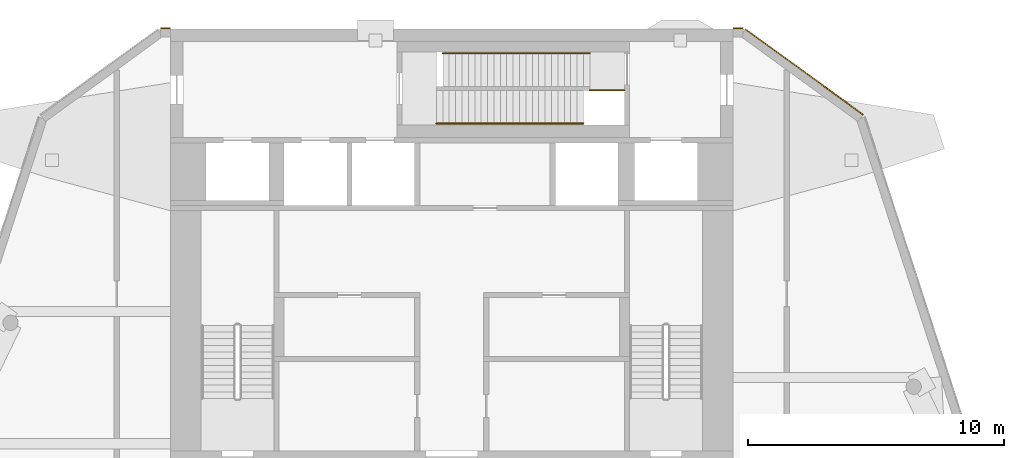
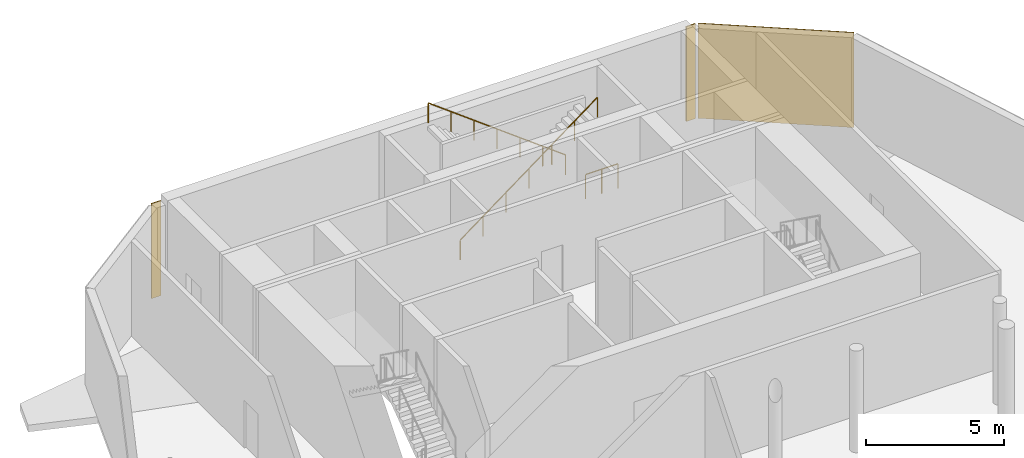
# One storey, part 8 of 8: 3 coverings, 3 railings.
"""IFC4 building model written with IfcOpenShell, lengths in metres."""

import ifcopenshell
import ifcopenshell.guid

model = None  # the IFC model being written
_history = None  # IfcOwnerHistory: only IFC2X3 demands one
_inside = {}  # id of a spatial element -> (the spatial element, [elements in it])
_under = {}  # id of a project, library or spatial element -> (it, [spatial elements below it])
_declared = {}  # id of a project -> (the project, [libraries it declares])
_typed = {}  # id of a type object -> (the type object, [elements of that type])
_made_of = {}  # id of a material, layer set ... -> (it, [elements and type objects made of it])


def new_model(schema):
    """Start an empty IFC model of exactly this schema.

    Asked for "IFC4X3", IfcOpenShell would pick the latest addendum, in which some entities
    have other attributes; the version numbers below select the first issue.
    IFC2X3 requires an IfcOwnerHistory on every rooted entity: one is made here for all.
    """
    global model, _history
    if schema == "IFC4X3":
        model = ifcopenshell.file(schema_version=(4, 3, 0, 0))
    else:
        model = ifcopenshell.file(schema=schema)
    _inside.clear()
    _under.clear()
    _declared.clear()
    _typed.clear()
    _made_of.clear()
    _history = None
    if model.schema == "IFC2X3":
        org = make("IfcOrganization", Name="unknown")
        user = make(
            "IfcPersonAndOrganization",
            ThePerson=make("IfcPerson", FamilyName="unknown"),
            TheOrganization=org,
        )
        app = make(
            "IfcApplication",
            ApplicationDeveloper=org,
            Version="unknown",
            ApplicationFullName="unknown",
            ApplicationIdentifier="unknown",
        )
        _history = make(
            "IfcOwnerHistory",
            OwningUser=user,
            OwningApplication=app,
            ChangeAction="ADDED",
            CreationDate=0,
        )
    return model


def make(cls, **values):
    """One entity of the class cls with the attributes given. An attribute that is None is left unset."""
    return model.create_entity(
        cls, **{name: value for name, value in values.items() if value is not None}
    )


def rooted(cls, **values):
    """An entity with a GlobalId (a new one), such as an element, a storey or a relation."""
    return make(cls, GlobalId=ifcopenshell.guid.new(), OwnerHistory=_history, **values)


def si_unit(unit_type, name, prefix=None):
    """IfcSIUnit, for example si_unit("LENGTHUNIT", "METRE", prefix="MILLI")."""
    return make("IfcSIUnit", UnitType=unit_type, Prefix=prefix, Name=name)


def assignment(units):
    """IfcUnitAssignment: the units of a project."""
    return None if units is None else make("IfcUnitAssignment", Units=units)


def point(xyz):
    """IfcCartesianPoint."""
    return None if xyz is None else make("IfcCartesianPoint", Coordinates=xyz)


def direction(xyz):
    """IfcDirection."""
    return None if xyz is None else make("IfcDirection", DirectionRatios=xyz)


def frame(location, z_axis=None, x_axis=None):
    """IfcAxis2Placement3D, a coordinate frame: its origin and axes. An axis left out is left unset."""
    return make(
        "IfcAxis2Placement3D",
        Location=point(location),
        Axis=direction(z_axis),
        RefDirection=direction(x_axis),
    )


def frame_2d(location, x_axis=None):
    """IfcAxis2Placement2D, a coordinate frame in the plane: its origin and x axis."""
    return make(
        "IfcAxis2Placement2D", Location=point(location), RefDirection=direction(x_axis)
    )


def origin():
    """The frame at (0, 0, 0) with its axes left unset."""
    return frame((0.0, 0.0, 0.0))


def origin_2d():
    """The frame at (0, 0) in the plane with its x axis left unset."""
    return frame_2d((0.0, 0.0))


def place(relative_to, where):
    """IfcLocalPlacement: puts the frame where relative to a parent placement (None: the world)."""
    return make(
        "IfcLocalPlacement", PlacementRelTo=relative_to, RelativePlacement=where
    )


def context(
    kind, dimensions, precision=None, world=None, true_north=None, identifier=None
):
    """IfcGeometricRepresentationContext, for example the 3D "Model" context."""
    return make(
        "IfcGeometricRepresentationContext",
        ContextIdentifier=identifier,
        ContextType=kind,
        CoordinateSpaceDimension=dimensions,
        Precision=precision,
        WorldCoordinateSystem=world,
        TrueNorth=true_north,
    )


def subcontext(parent, identifier, kind, view, scale=None):
    """IfcGeometricRepresentationSubContext, for example "Body" below "Model"."""
    return make(
        "IfcGeometricRepresentationSubContext",
        ContextIdentifier=identifier,
        ContextType=kind,
        ParentContext=parent,
        TargetScale=scale,
        TargetView=view,
    )


def project(units=None, contexts=None):
    """IfcProject with its units and contexts."""
    return rooted(
        "IfcProject",
        Name="project",
        RepresentationContexts=contexts,
        UnitsInContext=assignment(units),
    )


def spatial(cls, under=None, at=None, **own):
    """A site, building, storey or space (cls), placed at a placement, below another one or the project."""
    s = rooted(cls, ObjectPlacement=at, **own)
    if under is not None:
        _under.setdefault(under.id(), (under, []))[1].append(s)
    return s


def polyline(points):
    """IfcPolyline through the points."""
    return make("IfcPolyline", Points=[point(p) for p in points])


def profile(cls, at=None, kind="AREA", **sizes):
    """A parametric profile (cls). Its sizes go by their IFC names, for example OverallWidth=200.0."""
    return make(cls, ProfileType=kind, Position=at, **sizes)


def circle(**sizes):
    """IfcCircleProfileDef."""
    return profile("IfcCircleProfileDef", **sizes)


def outline(outer, holes=None, kind="AREA"):
    """IfcArbitraryClosedProfileDef: a profile drawn as a closed curve; with holes, ...WithVoids."""
    if holes is None:
        return make("IfcArbitraryClosedProfileDef", ProfileType=kind, OuterCurve=outer)
    return make(
        "IfcArbitraryProfileDefWithVoids",
        ProfileType=kind,
        OuterCurve=outer,
        InnerCurves=holes,
    )


def extrude(swept, where, along, depth):
    """IfcExtrudedAreaSolid: the profile swept, set in the frame where, extruded along a direction by depth."""
    return make(
        "IfcExtrudedAreaSolid",
        SweptArea=swept,
        Position=where,
        ExtrudedDirection=direction(along),
        Depth=depth,
    )


def shape(context_of_items, identifier, shape_type, items):
    """IfcShapeRepresentation: the items that make up one representation, for example the "Body"."""
    return make(
        "IfcShapeRepresentation",
        ContextOfItems=context_of_items,
        RepresentationIdentifier=identifier,
        RepresentationType=shape_type,
        Items=items,
    )


def material(Name=None, Category=None):
    """IfcMaterial."""
    return make("IfcMaterial", Name=Name, Category=Category)


def layer(
    of_material, thickness, ventilated=None, Name=None, Category=None, Priority=None
):
    """IfcMaterialLayer: one layer of a wall or slab, of a material (None: an air gap)."""
    return make(
        "IfcMaterialLayer",
        Material=of_material,
        LayerThickness=thickness,
        IsVentilated=ventilated,
        Name=Name,
        Category=Category,
        Priority=Priority,
    )


def layer_set(layers, Name=None):
    """IfcMaterialLayerSet."""
    return make("IfcMaterialLayerSet", MaterialLayers=layers, LayerSetName=Name)


def made_of(thing, what):
    """Note that an element or type object is made of a material, layer set ...; save() writes the relation."""
    if what is not None:
        _made_of.setdefault(what.id(), (what, []))[1].append(thing)
    return thing


def type_object(cls, material=None, **own):
    """A type object (cls), such as IfcWallType, which elements share."""
    return made_of(rooted(cls, **own), material)


def element(
    cls,
    number,
    at=None,
    inside=None,
    cuts=None,
    type_object=None,
    material=None,
    context=None,
    identifier="Body",
    shape_type=None,
    held_by="IfcProductDefinitionShape",
    body=None,
    shapes=None,
    **own,
):
    """One element of the class cls, such as IfcWall. Its Tag is "e" and its number.

    at: its placement. inside: the storey or other place that contains it. cuts: it is an
    opening in that element (IfcRelVoidsElement). A single representation is given by context,
    identifier, shape_type and body (its items); several are given by shapes. held_by: the class
    of the entity that holds the representations. save() writes the other relations.
    """
    e = rooted(cls, Tag="e%d" % number, ObjectPlacement=at, **own)
    if body is not None:
        shapes = [shape(context, identifier, shape_type, body)]
    if shapes is not None:
        e.Representation = make(held_by, Representations=shapes)
    if inside is not None:
        _inside.setdefault(inside.id(), (inside, []))[1].append(e)
    if cuts is not None:
        rooted(
            "IfcRelVoidsElement", RelatingBuildingElement=cuts, RelatedOpeningElement=e
        )
    if type_object is not None:
        _typed.setdefault(type_object.id(), (type_object, []))[1].append(e)
    return made_of(e, material)


def aggregate(whole, parts):
    """IfcRelAggregates: a whole, such as a stair, and the parts it consists of."""
    return rooted("IfcRelAggregates", RelatingObject=whole, RelatedObjects=parts)


def save(model, path):
    """Write the relations noted so far, then the file.

    IfcRelAggregates (storeys below a building ...), IfcRelContainedInSpatialStructure (elements
    in a storey), IfcRelDefinesByType, IfcRelAssociatesMaterial and IfcRelDeclares: one each for
    every whole, place, type object, material and project.
    """
    for whole, parts in _under.values():
        aggregate(whole, parts)
    for where, things in _inside.values():
        rooted(
            "IfcRelContainedInSpatialStructure",
            RelatedElements=things,
            RelatingStructure=where,
        )
    for kind, things in _typed.values():
        rooted("IfcRelDefinesByType", RelatedObjects=things, RelatingType=kind)
    for what, things in _made_of.values():
        rooted("IfcRelAssociatesMaterial", RelatedObjects=things, RelatingMaterial=what)
    for by, libraries in _declared.values():
        rooted("IfcRelDeclares", RelatingContext=by, RelatedDefinitions=libraries)
    model.write(path)


model = new_model("IFC4")

# Units and contexts
model_context = context("Model", 3, precision=1e-05, world=origin(), true_north=direction((0.0, 1.0)))
body_context = subcontext(model_context, "Body", "Model", "MODEL_VIEW")
ifc_project = project(units=[si_unit("LENGTHUNIT", "METRE"), si_unit("AREAUNIT", "SQUARE_METRE"), si_unit("VOLUMEUNIT", "CUBIC_METRE"), si_unit("PLANEANGLEUNIT", "RADIAN"), si_unit("MASSUNIT", "GRAM", prefix="KILO")], contexts=[model_context])

# Site, building, storey
site_placement = place(None, origin())
site = spatial("IfcSite", under=ifc_project, at=site_placement, CompositionType="ELEMENT")
building_placement = place(site_placement, origin())
building = spatial("IfcBuilding", under=site, at=building_placement, Name="White Candle Pilgrim Tower", CompositionType="ELEMENT")
storey_placement = place(building_placement, frame((0.0, 0.0, 328.699951171875)))
storey = spatial("IfcBuildingStorey", under=building, at=storey_placement, Name="L77", CompositionType="ELEMENT", Elevation=328.699951171875)

# Railings
ifc_material_1 = material(Name="Stainless steel", Category="steel")
railing_type_1 = type_object("IfcRailingType", Name="Stair guard stainless steel 1100 mm", PredefinedType="GUARDRAIL", material=ifc_material_1)
railing_1_placement = place(storey_placement, frame((75.39990234375, 85.60009765625, 0.0)))
element("IfcRailing", 1, at=railing_1_placement, inside=storey, type_object=railing_type_1, Name="L77 ST12 stair guard 1", PredefinedType="GUARDRAIL", context=body_context, shape_type="SweptSolid", body=[
    extrude(circle(Radius=0.02392578125, at=origin_2d()), frame((0.0, 0.0, 1.076171875), z_axis=(1.0, 0.0, 0.0), x_axis=(0.0, 1.0, 0.0)), (0.0, 0.0, 1.0), 1.35009765625),
    extrude(circle(Radius=0.02099609375, at=origin_2d()), origin(), (0.0, 0.0, 1.0), 1.052001953125),
    extrude(circle(Radius=0.02099609375, at=origin_2d()), frame((0.675048828125, 0.0, 0.0)), (0.0, 0.0, 1.0), 1.052001953125),
    extrude(circle(Radius=0.02099609375, at=origin_2d()), frame((1.35009765625, 0.0, 0.0)), (0.0, 0.0, 1.0), 1.052001953125),
])
railing_type_2 = type_object("IfcRailingType", Name="Stair handrail stainless steel", PredefinedType="HANDRAIL", material=ifc_material_1)
railing_2_placement = place(storey_placement, frame((69.39990234375, 84.300048828125, 0.1875)))
element("IfcRailing", 2, at=railing_2_placement, inside=storey, type_object=railing_type_2, Name="L77 ST12 stair handrail 1", PredefinedType="HANDRAIL", context=body_context, shape_type="SweptSolid", body=[
    extrude(circle(Radius=0.02392578125, at=origin_2d()), frame((0.0, 0.0, 0.8759765625), z_axis=(0.8, 0.0, 0.6), x_axis=(0.0, 1.0, 0.0)), (0.0, 0.0, 1.0), 7.1875),
    extrude(circle(Radius=0.02099609375, at=origin_2d()), origin(), (0.0, 0.0, 1.0), 0.851806640625),
    extrude(circle(Radius=0.02099609375, at=origin_2d()), frame((0.958251953125, 0.0, 0.71875)), (0.0, 0.0, 1.0), 0.851806640625),
    extrude(circle(Radius=0.02099609375, at=origin_2d()), frame((1.916748046875, 0.0, 1.4375)), (0.0, 0.0, 1.0), 0.851806640625),
    extrude(circle(Radius=0.02099609375, at=origin_2d()), frame((2.875, 0.0, 2.15625)), (0.0, 0.0, 1.0), 0.851806640625),
    extrude(circle(Radius=0.02099609375, at=origin_2d()), frame((3.833251953125, 0.0, 2.875)), (0.0, 0.0, 1.0), 0.851806640625),
    extrude(circle(Radius=0.02099609375, at=origin_2d()), frame((4.791748046875, 0.0, 3.59375)), (0.0, 0.0, 1.0), 0.851806640625),
    extrude(circle(Radius=0.02099609375, at=origin_2d()), frame((5.75, 0.0, 4.3125)), (0.0, 0.0, 1.0), 0.851806640625),
])
railing_3_placement = place(storey_placement, frame((75.39990234375, 87.050048828125, 0.1875)))
element("IfcRailing", 3, at=railing_3_placement, inside=storey, type_object=railing_type_2, Name="L77 ST12 stair handrail 1", PredefinedType="HANDRAIL", context=body_context, shape_type="SweptSolid", body=[
    extrude(circle(Radius=0.02392578125, at=origin_2d()), frame((0.0, 0.0, 0.8759765625), z_axis=(-0.8, 0.0, 0.6), x_axis=(0.0, -1.0, 0.0)), (0.0, 0.0, 1.0), 7.1875),
    extrude(circle(Radius=0.02099609375, at=origin_2d()), origin(), (0.0, 0.0, 1.0), 0.851806640625),
    extrude(circle(Radius=0.02099609375, at=origin_2d()), frame((-0.958251953125, 0.0, 0.71875)), (0.0, 0.0, 1.0), 0.851806640625),
    extrude(circle(Radius=0.02099609375, at=origin_2d()), frame((-1.916748046875, 0.0, 1.4375)), (0.0, 0.0, 1.0), 0.851806640625),
    extrude(circle(Radius=0.02099609375, at=origin_2d()), frame((-2.875, 0.0, 2.15625)), (0.0, 0.0, 1.0), 0.851806640625),
    extrude(circle(Radius=0.02099609375, at=origin_2d()), frame((-3.833251953125, 0.0, 2.875)), (0.0, 0.0, 1.0), 0.851806640625),
    extrude(circle(Radius=0.02099609375, at=origin_2d()), frame((-4.791748046875, 0.0, 3.59375)), (0.0, 0.0, 1.0), 0.851806640625),
    extrude(circle(Radius=0.02099609375, at=origin_2d()), frame((-5.75, 0.0, 4.3125)), (0.0, 0.0, 1.0), 0.851806640625),
])

# Coverings
ifc_material_2 = material(Name="Zinc standing seam")
ifc_layer = layer(ifc_material_2, 0.0400390625)
ifc_layer_set = layer_set([ifc_layer], Name="Zinc wall cladding CL3 40")
covering_type = type_object("IfcCoveringType", Name="Zinc wall cladding CL3 40", PredefinedType="CLADDING", material=ifc_layer_set)
covering_placement = place(storey_placement, frame((86.072509765625, 84.632080078125, 4.199951171875), z_axis=(-0.5877881323, -0.809014901919, 0.0), x_axis=(-0.809014901919, 0.5877881323, 0.0)))
element("IfcCovering", 4, at=covering_placement, inside=storey, type_object=covering_type, Name="Zinc wall cladding L77 NE chamfer", PredefinedType="CLADDING", context=body_context, shape_type="SweptSolid", body=[
    extrude(outline(polyline([(0.0, 0.0), (5.677900182653835, 0.0), (5.677900182653835, 4.199951171875), (0.0, 4.199951171875), (0.0, 0.0)])), origin(), (0.0, 0.0, -1.0), 0.0400390625),
])
for number, where, z_axis, x_axis, name in (
    (5, (81.385009765625, 88.0, 4.199951171875), (0.0, -1.0, 0.0), (-1.0, 0.0, 0.0), "Zinc wall cladding L77 N"),
    (6, (59.0, 88.0, 4.199951171875), (0.0, -1.0, 0.0), (-1.0, 0.0, 0.0), "Zinc wall cladding L77 N"),
):
    element("IfcCovering", number, at=place(storey_placement, frame(where, z_axis=z_axis, x_axis=x_axis)), inside=storey, type_object=covering_type, Name=name, PredefinedType="CLADDING", context=body_context, shape_type="SweptSolid", body=[
        extrude(outline(polyline([(0.0, 0.0), (0.385009765625, 0.0), (0.385009765625, 4.199951171875), (0.0, 4.199951171875), (0.0, 0.0)])), origin(), (0.0, 0.0, -1.0), 0.0400390625),
    ])

save(model, "model.ifc")
